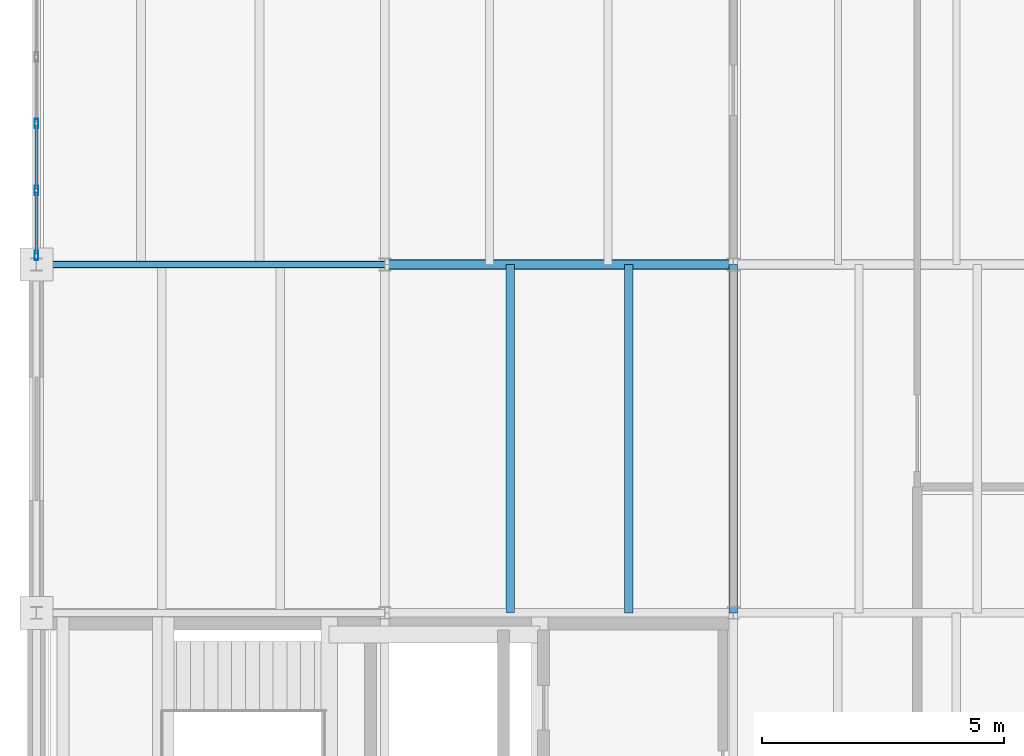
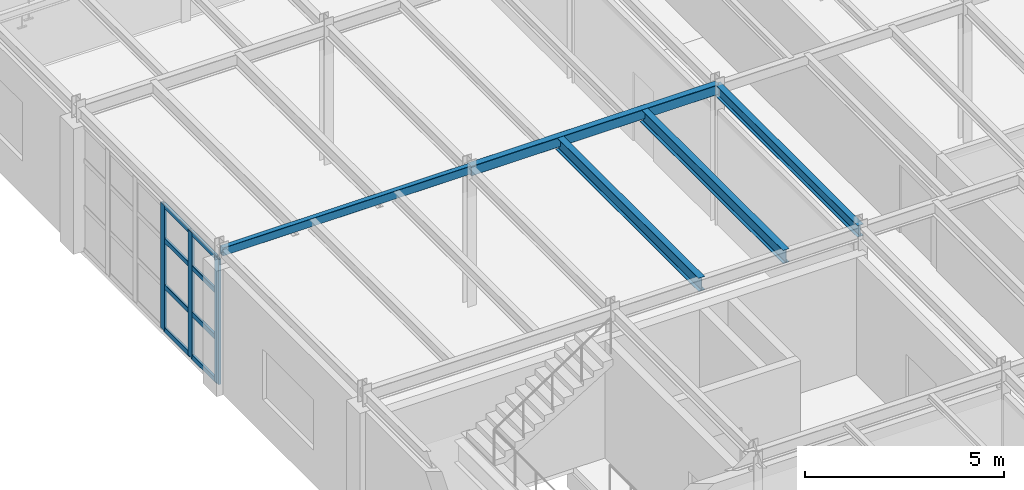
# One storey, part 12 of 36: 11 members, 5 beams, 1 element without a shape of its own.
"""IFC4 building model written with IfcOpenShell, lengths in metres."""

from ifc_helpers import new_model, si_unit, direction, frame, origin, origin_2d, place, context, subcontext, project, spatial, hollow_rectangle, i_section, extrude, material, layer, layer_set, material_profile, profile_set, type_object, element, aggregate, save


model = new_model("IFC4")

# Units and contexts
model_context = context("Model", 3, precision=1e-05, world=origin(), true_north=direction((0.0, 1.0)))
body_context = subcontext(model_context, "Body", "Model", "MODEL_VIEW")
ifc_project = project(units=[si_unit("LENGTHUNIT", "METRE"), si_unit("AREAUNIT", "SQUARE_METRE"), si_unit("VOLUMEUNIT", "CUBIC_METRE"), si_unit("PLANEANGLEUNIT", "RADIAN"), si_unit("MASSUNIT", "GRAM", prefix="KILO")], contexts=[model_context])

# Site, building, storey
site_placement = place(None, origin())
site = spatial("IfcSite", under=ifc_project, at=site_placement, CompositionType="ELEMENT")
building_placement = place(site_placement, origin())
building = spatial("IfcBuilding", under=site, at=building_placement, Name="Kemerveld Promenade Tramway Depot", CompositionType="ELEMENT")
storey_placement = place(building_placement, frame((0.0, 0.0, 14.39990234375)))
storey = spatial("IfcBuildingStorey", under=building, at=storey_placement, Name="L03", CompositionType="ELEMENT", Elevation=14.39990234375)

# Beams
ifc_material_1 = material(Name="Steel S355", Category="steel")
ifc_material_profile_1 = material_profile(ifc_material_1, i_section(OverallWidth=0.172119140625, OverallDepth=0.35791015625, WebThickness=0.008056640625, FlangeThickness=0.012939453125, FilletRadius=0.01025390625, at=origin_2d()), Name="356x171x57 UB")
ifc_profile_set_1 = profile_set([ifc_material_profile_1], Name="Steel S355")
beam_type_1 = type_object("IfcBeamType", Name="BM-G08", PredefinedType="BEAM", material=ifc_profile_set_1)
beam_1_placement = place(storey_placement, frame((14.39990234375, 21.60009765625, 4.10107421875), z_axis=(0.0, 1.0, 0.0), x_axis=(-1.0, 0.0, 0.0)))
element("IfcBeam", 1, at=beam_1_placement, inside=storey, type_object=beam_type_1, Name="BMY-L03-03-D-E", PredefinedType="BEAM", context=body_context, shape_type="SweptSolid", body=[
    extrude(i_section(OverallWidth=0.172119140625, OverallDepth=0.35791015625, WebThickness=0.008056640625, FlangeThickness=0.012939453125, FilletRadius=0.01025390625, at=origin_2d()), origin(), (0.0, 0.0, 1.0), 7.199951171875),
])
ifc_material_profile_2 = material_profile(ifc_material_1, hollow_rectangle(XDim=0.14990234375, YDim=0.25, WallThickness=0.010009765625, InnerFilletRadius=0.0048828125, OuterFilletRadius=0.014892578125, at=origin_2d()), Name="250x150x10.0 RHS")
ifc_profile_set_2 = profile_set([ifc_material_profile_2], Name="Steel S355")
beam_type_2 = type_object("IfcBeamType", Name="BM-G17", PredefinedType="BEAM", material=ifc_profile_set_2)
beam_2_placement = place(storey_placement, frame((0.0, 28.800048828125, 4.16015625), z_axis=(1.0, 0.0, 0.0), x_axis=(0.0, 1.0, 0.0)))
element("IfcBeam", 2, at=beam_2_placement, inside=storey, type_object=beam_type_2, Name="BMX-L03-01-02-E", PredefinedType="BEAM", context=body_context, shape_type="SweptSolid", body=[
    extrude(hollow_rectangle(XDim=0.14990234375, YDim=0.25, WallThickness=0.010009765625, InnerFilletRadius=0.0048828125, OuterFilletRadius=0.014892578125, at=origin_2d()), origin(), (0.0, 0.0, 1.0), 7.199951171875),
])
ifc_material_profile_3 = material_profile(ifc_material_1, hollow_rectangle(XDim=0.199951171875, YDim=0.300048828125, WallThickness=0.012451171875, InnerFilletRadius=0.00634765625, OuterFilletRadius=0.018798828125, at=origin_2d()), Name="300x200x12.5 RHS")
ifc_profile_set_3 = profile_set([ifc_material_profile_3], Name="Steel S355")
beam_type_3 = type_object("IfcBeamType", Name="BM-G18", PredefinedType="BEAM", material=ifc_profile_set_3)
beam_3_placement = place(storey_placement, frame((7.199951171875, 28.800048828125, 4.135009765625), z_axis=(1.0, 0.0, 0.0), x_axis=(0.0, 1.0, 0.0)))
element("IfcBeam", 3, at=beam_3_placement, inside=storey, type_object=beam_type_3, Name="BMX-L03-02-03-E", PredefinedType="BEAM", context=body_context, shape_type="SweptSolid", body=[
    extrude(hollow_rectangle(XDim=0.199951171875, YDim=0.300048828125, WallThickness=0.012451171875, InnerFilletRadius=0.00634765625, OuterFilletRadius=0.018798828125, at=origin_2d()), origin(), (0.0, 0.0, 1.0), 7.199951171875),
])
ifc_material_profile_4 = material_profile(ifc_material_1, i_section(OverallWidth=0.1787109375, OverallDepth=0.409423828125, WebThickness=0.0087890625, FlangeThickness=0.014404296875, FilletRadius=0.01025390625, at=origin_2d()), Name="406x178x67 UB")
ifc_profile_set_4 = profile_set([ifc_material_profile_4], Name="Steel S355")
beam_type_4 = type_object("IfcBeamType", Name="BM-J05", PredefinedType="JOIST", material=ifc_profile_set_4)
for number, where, z_axis, x_axis, name in (
    (4, (9.7919921875, 21.60009765625, 4.075439453125), (0.0, 1.0, 0.0), (-1.0, 0.0, 0.0), "JST-L03-02-D-1"),
    (5, (12.239990234375, 21.60009765625, 4.075439453125), (0.0, 1.0, 0.0), (-1.0, 0.0, 0.0), "JST-L03-02-D-2"),
):
    element("IfcBeam", number, at=place(storey_placement, frame(where, z_axis=z_axis, x_axis=x_axis)), inside=storey, type_object=beam_type_4, Name=name, PredefinedType="JOIST", context=body_context, shape_type="SweptSolid", body=[
        extrude(i_section(OverallWidth=0.1787109375, OverallDepth=0.409423828125, WebThickness=0.0087890625, FlangeThickness=0.014404296875, FilletRadius=0.01025390625, at=origin_2d()), origin(), (0.0, 0.0, 1.0), 7.199951171875),
    ])

# Curtain wall, members
ifc_material_2 = material(Name="Bronze anodised aluminium and solar glass", Category="aluminium")
ifc_layer = layer(ifc_material_2, 0.199951171875)
ifc_layer_set = layer_set([ifc_layer], Name="CW-SYS-08")
curtain_wall_type = type_object("IfcCurtainWallType", Name="CW-SYS-08", PredefinedType="USERDEFINED", material=ifc_layer_set)
curtain_wall_placement = place(storey_placement, origin())
curtain_wall = element("IfcCurtainWall", 6, at=curtain_wall_placement, inside=storey, type_object=curtain_wall_type, Name="CW-L03-V5W-05", ObjectType="GLAZED_CURTAIN_WALL", PredefinedType="USERDEFINED")
ifc_material_3 = material(Name="Bronze anodised aluminium", Category="aluminium")
ifc_material_profile_5 = material_profile(ifc_material_3, hollow_rectangle(XDim=0.074951171875, YDim=0.199951171875, WallThickness=0.0048828125, InnerFilletRadius=0.001953125, OuterFilletRadius=0.0048828125, at=origin_2d()), Name="CW-MUL-200x75")
ifc_profile_set_5 = profile_set([ifc_material_profile_5], Name="Bronze anodised aluminium")
member_type_1 = type_object("IfcMemberType", Name="CW-MUL-B", PredefinedType="MULLION", material=ifc_profile_set_5)
member_1_placement = place(storey_placement, frame((0.0, 28.98779296875, 0.0), z_axis=(0.0, 0.0, 1.0), x_axis=(-1.0, 0.0, 0.0)))
member_1 = element("IfcMember", 7, at=member_1_placement, type_object=member_type_1, Name="CW08 mullion 1", PredefinedType="MULLION", context=body_context, shape_type="SweptSolid", body=[
    extrude(hollow_rectangle(XDim=0.074951171875, YDim=0.199951171875, WallThickness=0.0048828125, InnerFilletRadius=0.001953125, OuterFilletRadius=0.0048828125, at=origin_2d()), origin(), (0.0, 0.0, 1.0), 3.85009765625),
])
member_2_placement = place(storey_placement, frame((0.0, 30.330078125, 0.0), z_axis=(0.0, 0.0, 1.0), x_axis=(-1.0, 0.0, 0.0)))
member_2 = element("IfcMember", 8, at=member_2_placement, type_object=member_type_1, Name="CW08 mullion 2", PredefinedType="MULLION", context=body_context, shape_type="SweptSolid", body=[
    extrude(hollow_rectangle(XDim=0.074951171875, YDim=0.199951171875, WallThickness=0.0048828125, InnerFilletRadius=0.001953125, OuterFilletRadius=0.0048828125, at=origin_2d()), origin(), (0.0, 0.0, 1.0), 3.85009765625),
])
member_3_placement = place(storey_placement, frame((0.0, 31.7099609375, 0.0), z_axis=(0.0, 0.0, 1.0), x_axis=(-1.0, 0.0, 0.0)))
member_3 = element("IfcMember", 9, at=member_3_placement, type_object=member_type_1, Name="CW08 mullion 3", PredefinedType="MULLION", context=body_context, shape_type="SweptSolid", body=[
    extrude(hollow_rectangle(XDim=0.074951171875, YDim=0.199951171875, WallThickness=0.0048828125, InnerFilletRadius=0.001953125, OuterFilletRadius=0.0048828125, at=origin_2d()), origin(), (0.0, 0.0, 1.0), 3.85009765625),
])
ifc_material_profile_6 = material_profile(ifc_material_3, hollow_rectangle(XDim=0.06494140625, YDim=0.14990234375, WallThickness=0.00439453125, InnerFilletRadius=0.001953125, OuterFilletRadius=0.00439453125, at=origin_2d()), Name="CW-TRN-150x65")
ifc_profile_set_6 = profile_set([ifc_material_profile_6], Name="Bronze anodised aluminium")
member_type_2 = type_object("IfcMemberType", Name="CW-TRN-B", PredefinedType="USERDEFINED", material=ifc_profile_set_6)
member_4_placement = place(storey_placement, frame((0.0, 29.025146484375, 0.03271484375), z_axis=(0.0, 1.0, 0.0), x_axis=(-1.0, 0.0, 0.0)))
member_4 = element("IfcMember", 10, at=member_4_placement, type_object=member_type_2, Name="CW08 transom 1.1", ObjectType="TRANSOM", PredefinedType="USERDEFINED", context=body_context, shape_type="SweptSolid", body=[
    extrude(hollow_rectangle(XDim=0.06494140625, YDim=0.14990234375, WallThickness=0.00439453125, InnerFilletRadius=0.001953125, OuterFilletRadius=0.00439453125, at=origin_2d()), origin(), (0.0, 0.0, 1.0), 1.267578125),
])
member_5_placement = place(storey_placement, frame((0.0, 29.025146484375, 1.34814453125), z_axis=(0.0, 1.0, 0.0), x_axis=(-1.0, 0.0, 0.0)))
member_5 = element("IfcMember", 11, at=member_5_placement, type_object=member_type_2, Name="CW08 transom 1.2", ObjectType="TRANSOM", PredefinedType="USERDEFINED", context=body_context, shape_type="SweptSolid", body=[
    extrude(hollow_rectangle(XDim=0.06494140625, YDim=0.14990234375, WallThickness=0.00439453125, InnerFilletRadius=0.001953125, OuterFilletRadius=0.00439453125, at=origin_2d()), origin(), (0.0, 0.0, 1.0), 1.267578125),
])
member_6_placement = place(storey_placement, frame((0.0, 29.025146484375, 2.772216796875), z_axis=(0.0, 1.0, 0.0), x_axis=(-1.0, 0.0, 0.0)))
member_6 = element("IfcMember", 12, at=member_6_placement, type_object=member_type_2, Name="CW08 transom 1.3", ObjectType="TRANSOM", PredefinedType="USERDEFINED", context=body_context, shape_type="SweptSolid", body=[
    extrude(hollow_rectangle(XDim=0.06494140625, YDim=0.14990234375, WallThickness=0.00439453125, InnerFilletRadius=0.001953125, OuterFilletRadius=0.00439453125, at=origin_2d()), origin(), (0.0, 0.0, 1.0), 1.267578125),
])
member_7_placement = place(storey_placement, frame((0.0, 29.025146484375, 3.817626953125), z_axis=(0.0, 1.0, 0.0), x_axis=(-1.0, 0.0, 0.0)))
member_7 = element("IfcMember", 13, at=member_7_placement, type_object=member_type_2, Name="CW08 transom 1.4", ObjectType="TRANSOM", PredefinedType="USERDEFINED", context=body_context, shape_type="SweptSolid", body=[
    extrude(hollow_rectangle(XDim=0.06494140625, YDim=0.14990234375, WallThickness=0.00439453125, InnerFilletRadius=0.001953125, OuterFilletRadius=0.00439453125, at=origin_2d()), origin(), (0.0, 0.0, 1.0), 1.267578125),
])
member_8_placement = place(storey_placement, frame((0.0, 30.36767578125, 0.03271484375), z_axis=(0.0, 1.0, 0.0), x_axis=(-1.0, 0.0, 0.0)))
member_8 = element("IfcMember", 14, at=member_8_placement, type_object=member_type_2, Name="CW08 transom 2.1", ObjectType="TRANSOM", PredefinedType="USERDEFINED", context=body_context, shape_type="SweptSolid", body=[
    extrude(hollow_rectangle(XDim=0.06494140625, YDim=0.14990234375, WallThickness=0.00439453125, InnerFilletRadius=0.001953125, OuterFilletRadius=0.00439453125, at=origin_2d()), origin(), (0.0, 0.0, 1.0), 1.304931640625),
])
member_9_placement = place(storey_placement, frame((0.0, 30.36767578125, 1.34814453125), z_axis=(0.0, 1.0, 0.0), x_axis=(-1.0, 0.0, 0.0)))
member_9 = element("IfcMember", 15, at=member_9_placement, type_object=member_type_2, Name="CW08 transom 2.2", ObjectType="TRANSOM", PredefinedType="USERDEFINED", context=body_context, shape_type="SweptSolid", body=[
    extrude(hollow_rectangle(XDim=0.06494140625, YDim=0.14990234375, WallThickness=0.00439453125, InnerFilletRadius=0.001953125, OuterFilletRadius=0.00439453125, at=origin_2d()), origin(), (0.0, 0.0, 1.0), 1.304931640625),
])
member_10_placement = place(storey_placement, frame((0.0, 30.36767578125, 2.772216796875), z_axis=(0.0, 1.0, 0.0), x_axis=(-1.0, 0.0, 0.0)))
member_10 = element("IfcMember", 16, at=member_10_placement, type_object=member_type_2, Name="CW08 transom 2.3", ObjectType="TRANSOM", PredefinedType="USERDEFINED", context=body_context, shape_type="SweptSolid", body=[
    extrude(hollow_rectangle(XDim=0.06494140625, YDim=0.14990234375, WallThickness=0.00439453125, InnerFilletRadius=0.001953125, OuterFilletRadius=0.00439453125, at=origin_2d()), origin(), (0.0, 0.0, 1.0), 1.304931640625),
])
member_11_placement = place(storey_placement, frame((0.0, 30.36767578125, 3.817626953125), z_axis=(0.0, 1.0, 0.0), x_axis=(-1.0, 0.0, 0.0)))
member_11 = element("IfcMember", 17, at=member_11_placement, type_object=member_type_2, Name="CW08 transom 2.4", ObjectType="TRANSOM", PredefinedType="USERDEFINED", context=body_context, shape_type="SweptSolid", body=[
    extrude(hollow_rectangle(XDim=0.06494140625, YDim=0.14990234375, WallThickness=0.00439453125, InnerFilletRadius=0.001953125, OuterFilletRadius=0.00439453125, at=origin_2d()), origin(), (0.0, 0.0, 1.0), 1.304931640625),
])
aggregate(curtain_wall, [member_1, member_2, member_3, member_4, member_5, member_6, member_7, member_8, member_9, member_10, member_11])

save(model, "model.ifc")
